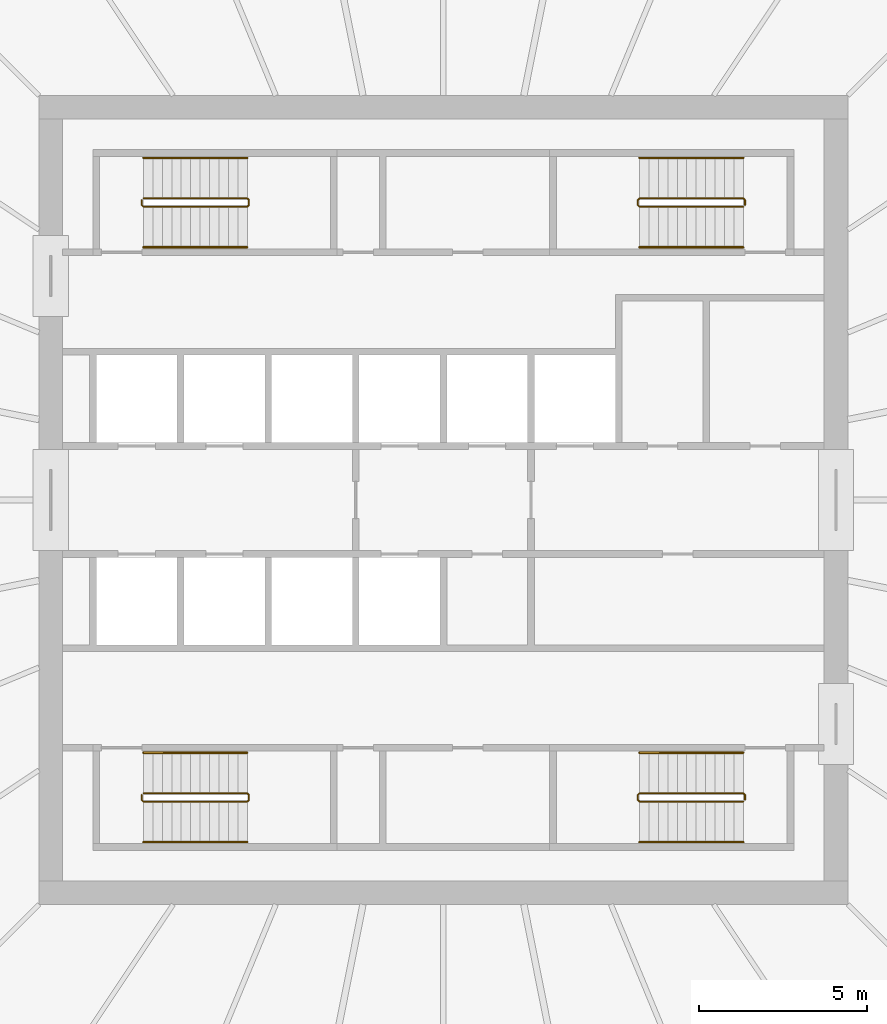
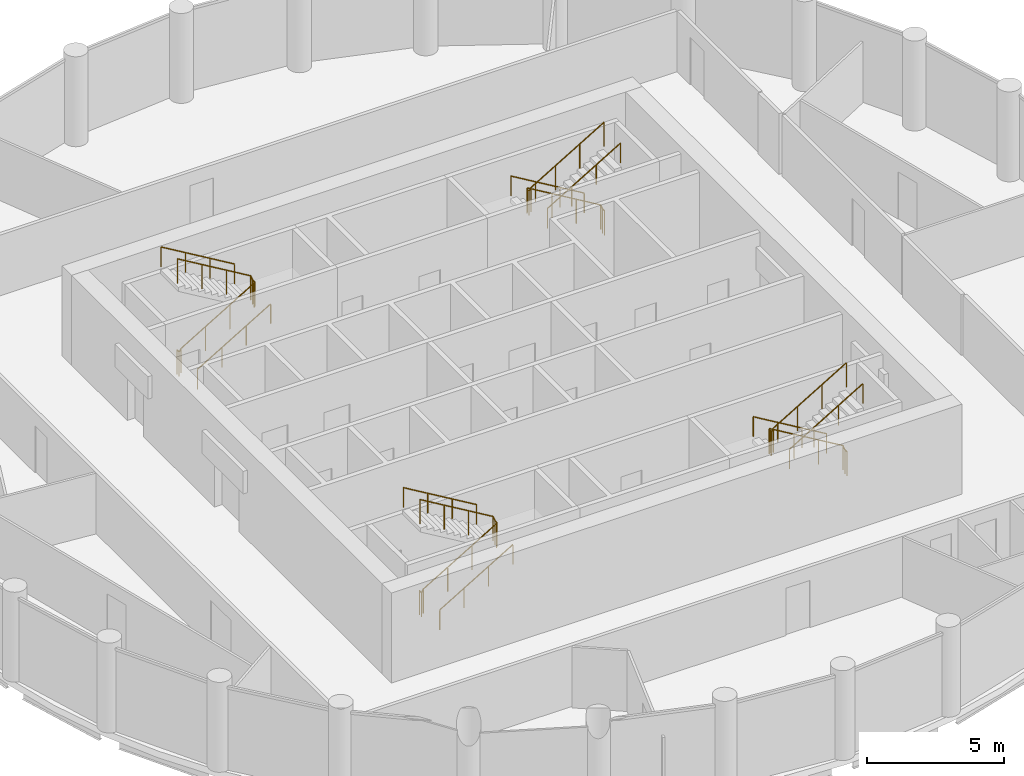
# One storey, part 7 of 7: 12 railings.
"""IFC4 building model written with IfcOpenShell, lengths in metres."""

from ifc_helpers import new_model, si_unit, direction, frame, origin, origin_2d, place, context, subcontext, project, spatial, circle, extrude, material, type_object, element, save


model = new_model("IFC4")

# Units and contexts
model_context = context("Model", 3, precision=1e-05, world=origin(), true_north=direction((0.0, 1.0)))
body_context = subcontext(model_context, "Body", "Model", "MODEL_VIEW")
ifc_project = project(units=[si_unit("LENGTHUNIT", "METRE"), si_unit("AREAUNIT", "SQUARE_METRE"), si_unit("VOLUMEUNIT", "CUBIC_METRE"), si_unit("PLANEANGLEUNIT", "RADIAN"), si_unit("MASSUNIT", "GRAM", prefix="KILO")], contexts=[model_context])

# Site, building, storey
site_placement = place(None, origin())
site = spatial("IfcSite", under=ifc_project, at=site_placement, CompositionType="ELEMENT")
building_placement = place(site_placement, origin())
building = spatial("IfcBuilding", under=site, at=building_placement, Name="Corvane Civic Tower", CompositionType="ELEMENT")
storey_placement = place(building_placement, frame((0.0, 0.0, 271.0)))
storey = spatial("IfcBuildingStorey", under=building, at=storey_placement, Name="L64", CompositionType="ELEMENT", Elevation=271.0)

# Railings
ifc_material_1 = material(Name="Steel ASTM A572 Gr 50", Category="steel")
railing_type_1 = type_object("IfcRailingType", Name="ST-GUARD-1100", PredefinedType="GUARDRAIL", material=ifc_material_1)
railing_1_placement = place(storey_placement, frame((8.949951171875, 8.75, 0.0)))
element("IfcRailing", 1, at=railing_1_placement, inside=storey, type_object=railing_type_1, Name="L64 ST1 stair guard 1", PredefinedType="GUARDRAIL", context=body_context, shape_type="SweptSolid", body=[
    extrude(circle(Radius=0.02392578125, at=origin_2d()), frame((0.0, 0.0, 1.076171875), z_axis=(0.0, 1.0, 0.0), x_axis=(-1.0, 0.0, 0.0)), (0.0, 0.0, 1.0), 0.14990234375),
    extrude(circle(Radius=0.02392578125, at=origin_2d()), frame((0.0, 0.14990234375, 1.076171875), z_axis=(-0.27628659633, 0.27628659633, 0.920506074601), x_axis=(-0.707106781187, -0.707106781187, 0.0)), (0.0, 0.0, 1.0), 0.18115234375),
    extrude(circle(Radius=0.02392578125, at=origin_2d()), frame((-0.050048828125, 0.199951171875, 1.24267578125), z_axis=(-0.859290745958, 0.0, 0.51148745235), x_axis=(0.0, -1.0, 0.0)), (0.0, 0.0, 1.0), 3.584228515625),
    extrude(circle(Radius=0.02392578125, at=origin_2d()), frame((-3.1298828125, 0.199951171875, 3.076171875), z_axis=(-0.707106781187, -0.707106781187, 0.0), x_axis=(0.707106781187, -0.707106781187, 0.0)), (0.0, 0.0, 1.0), 0.07080078125),
    extrude(circle(Radius=0.02392578125, at=origin_2d()), frame((-3.179931640625, 0.14990234375, 3.076171875), z_axis=(0.0, -1.0, 0.0), x_axis=(1.0, 0.0, 0.0)), (0.0, 0.0, 1.0), 0.14990234375),
    extrude(circle(Radius=0.02392578125, at=origin_2d()), frame((-3.179931640625, 0.0, 3.076171875), z_axis=(0.27628659633, -0.27628659633, 0.920506074601), x_axis=(0.707106781187, 0.707106781187, 0.0)), (0.0, 0.0, 1.0), 0.18115234375),
    extrude(circle(Radius=0.02392578125, at=origin_2d()), frame((-3.1298828125, -0.050048828125, 3.24267578125), z_axis=(0.859290745958, 0.0, 0.51148745235), x_axis=(0.0, 1.0, 0.0)), (0.0, 0.0, 1.0), 3.584228515625),
    extrude(circle(Radius=0.02099609375, at=origin_2d()), origin(), (0.0, 0.0, 1.0), 1.052001953125),
    extrude(circle(Radius=0.02099609375, at=origin_2d()), frame((0.0, 0.14990234375, 0.0)), (0.0, 0.0, 1.0), 1.052001953125),
    extrude(circle(Radius=0.02099609375, at=origin_2d()), frame((-0.050048828125, 0.199951171875, 0.166748046875)), (0.0, 0.0, 1.0), 1.052001953125),
    extrude(circle(Radius=0.02099609375, at=origin_2d()), frame((-1.07666015625, 0.199951171875, 0.77783203125)), (0.0, 0.0, 1.0), 1.052001953125),
    extrude(circle(Radius=0.02099609375, at=origin_2d()), frame((-2.103271484375, 0.199951171875, 1.388916015625)), (0.0, 0.0, 1.0), 1.052001953125),
    extrude(circle(Radius=0.02099609375, at=origin_2d()), frame((-3.1298828125, 0.199951171875, 2.0)), (0.0, 0.0, 1.0), 1.052001953125),
    extrude(circle(Radius=0.02099609375, at=origin_2d()), frame((-3.179931640625, 0.14990234375, 2.0)), (0.0, 0.0, 1.0), 1.052001953125),
    extrude(circle(Radius=0.02099609375, at=origin_2d()), frame((-3.179931640625, 0.0, 2.0)), (0.0, 0.0, 1.0), 1.052001953125),
    extrude(circle(Radius=0.02099609375, at=origin_2d()), frame((-3.1298828125, -0.050048828125, 2.166748046875)), (0.0, 0.0, 1.0), 1.052001953125),
    extrude(circle(Radius=0.02099609375, at=origin_2d()), frame((-2.103271484375, -0.050048828125, 2.77783203125)), (0.0, 0.0, 1.0), 1.052001953125),
    extrude(circle(Radius=0.02099609375, at=origin_2d()), frame((-1.07666015625, -0.050048828125, 3.388916015625)), (0.0, 0.0, 1.0), 1.052001953125),
    extrude(circle(Radius=0.02099609375, at=origin_2d()), frame((-0.050048828125, -0.050048828125, 4.0)), (0.0, 0.0, 1.0), 1.052001953125),
])
railing_2_placement = place(storey_placement, frame((8.949951171875, -8.89990234375, 0.0)))
element("IfcRailing", 2, at=railing_2_placement, inside=storey, type_object=railing_type_1, Name="L64 ST2 stair guard 1", PredefinedType="GUARDRAIL", context=body_context, shape_type="SweptSolid", body=[
    extrude(circle(Radius=0.02392578125, at=origin_2d()), frame((0.0, 0.0, 1.076171875), z_axis=(0.0, 1.0, 0.0), x_axis=(-1.0, 0.0, 0.0)), (0.0, 0.0, 1.0), 0.14990234375),
    extrude(circle(Radius=0.02392578125, at=origin_2d()), frame((0.0, 0.14990234375, 1.076171875), z_axis=(-0.27628659633, 0.27628659633, 0.920506074601), x_axis=(-0.707106781187, -0.707106781187, 0.0)), (0.0, 0.0, 1.0), 0.18115234375),
    extrude(circle(Radius=0.02392578125, at=origin_2d()), frame((-0.050048828125, 0.199951171875, 1.24267578125), z_axis=(-0.859290745958, 0.0, 0.51148745235), x_axis=(0.0, -1.0, 0.0)), (0.0, 0.0, 1.0), 3.584228515625),
    extrude(circle(Radius=0.02392578125, at=origin_2d()), frame((-3.1298828125, 0.199951171875, 3.076171875), z_axis=(-0.707106781187, -0.707106781187, 0.0), x_axis=(0.707106781187, -0.707106781187, 0.0)), (0.0, 0.0, 1.0), 0.07080078125),
    extrude(circle(Radius=0.02392578125, at=origin_2d()), frame((-3.179931640625, 0.14990234375, 3.076171875), z_axis=(0.0, -1.0, 0.0), x_axis=(1.0, 0.0, 0.0)), (0.0, 0.0, 1.0), 0.14990234375),
    extrude(circle(Radius=0.02392578125, at=origin_2d()), frame((-3.179931640625, 0.0, 3.076171875), z_axis=(0.27628659633, -0.27628659633, 0.920506074601), x_axis=(0.707106781187, 0.707106781187, 0.0)), (0.0, 0.0, 1.0), 0.18115234375),
    extrude(circle(Radius=0.02392578125, at=origin_2d()), frame((-3.1298828125, -0.050048828125, 3.24267578125), z_axis=(0.859290745958, 0.0, 0.51148745235), x_axis=(0.0, 1.0, 0.0)), (0.0, 0.0, 1.0), 3.584228515625),
    extrude(circle(Radius=0.02099609375, at=origin_2d()), origin(), (0.0, 0.0, 1.0), 1.052001953125),
    extrude(circle(Radius=0.02099609375, at=origin_2d()), frame((0.0, 0.14990234375, 0.0)), (0.0, 0.0, 1.0), 1.052001953125),
    extrude(circle(Radius=0.02099609375, at=origin_2d()), frame((-0.050048828125, 0.199951171875, 0.166748046875)), (0.0, 0.0, 1.0), 1.052001953125),
    extrude(circle(Radius=0.02099609375, at=origin_2d()), frame((-1.07666015625, 0.199951171875, 0.77783203125)), (0.0, 0.0, 1.0), 1.052001953125),
    extrude(circle(Radius=0.02099609375, at=origin_2d()), frame((-2.103271484375, 0.199951171875, 1.388916015625)), (0.0, 0.0, 1.0), 1.052001953125),
    extrude(circle(Radius=0.02099609375, at=origin_2d()), frame((-3.1298828125, 0.199951171875, 2.0)), (0.0, 0.0, 1.0), 1.052001953125),
    extrude(circle(Radius=0.02099609375, at=origin_2d()), frame((-3.179931640625, 0.14990234375, 2.0)), (0.0, 0.0, 1.0), 1.052001953125),
    extrude(circle(Radius=0.02099609375, at=origin_2d()), frame((-3.179931640625, 0.0, 2.0)), (0.0, 0.0, 1.0), 1.052001953125),
    extrude(circle(Radius=0.02099609375, at=origin_2d()), frame((-3.1298828125, -0.050048828125, 2.166748046875)), (0.0, 0.0, 1.0), 1.052001953125),
    extrude(circle(Radius=0.02099609375, at=origin_2d()), frame((-2.103271484375, -0.050048828125, 2.77783203125)), (0.0, 0.0, 1.0), 1.052001953125),
    extrude(circle(Radius=0.02099609375, at=origin_2d()), frame((-1.07666015625, -0.050048828125, 3.388916015625)), (0.0, 0.0, 1.0), 1.052001953125),
    extrude(circle(Radius=0.02099609375, at=origin_2d()), frame((-0.050048828125, -0.050048828125, 4.0)), (0.0, 0.0, 1.0), 1.052001953125),
])
railing_3_placement = place(storey_placement, frame((-8.949951171875, -8.75, 0.0)))
element("IfcRailing", 3, at=railing_3_placement, inside=storey, type_object=railing_type_1, Name="L64 ST3 stair guard 1", PredefinedType="GUARDRAIL", context=body_context, shape_type="SweptSolid", body=[
    extrude(circle(Radius=0.02392578125, at=origin_2d()), frame((0.0, 0.0, 1.076171875), z_axis=(0.0, -1.0, 0.0), x_axis=(1.0, 0.0, 0.0)), (0.0, 0.0, 1.0), 0.14990234375),
    extrude(circle(Radius=0.02392578125, at=origin_2d()), frame((0.0, -0.14990234375, 1.076171875), z_axis=(0.27628659633, -0.27628659633, 0.920506074601), x_axis=(0.707106781187, 0.707106781187, 0.0)), (0.0, 0.0, 1.0), 0.18115234375),
    extrude(circle(Radius=0.02392578125, at=origin_2d()), frame((0.050048828125, -0.199951171875, 1.24267578125), z_axis=(0.859290745958, 0.0, 0.51148745235), x_axis=(0.0, 1.0, 0.0)), (0.0, 0.0, 1.0), 3.584228515625),
    extrude(circle(Radius=0.02392578125, at=origin_2d()), frame((3.1298828125, -0.199951171875, 3.076171875), z_axis=(0.707106781187, 0.707106781187, 0.0), x_axis=(-0.707106781187, 0.707106781187, 0.0)), (0.0, 0.0, 1.0), 0.07080078125),
    extrude(circle(Radius=0.02392578125, at=origin_2d()), frame((3.179931640625, -0.14990234375, 3.076171875), z_axis=(0.0, 1.0, 0.0), x_axis=(-1.0, 0.0, 0.0)), (0.0, 0.0, 1.0), 0.14990234375),
    extrude(circle(Radius=0.02392578125, at=origin_2d()), frame((3.179931640625, 0.0, 3.076171875), z_axis=(-0.27628659633, 0.27628659633, 0.920506074601), x_axis=(-0.707106781187, -0.707106781187, 0.0)), (0.0, 0.0, 1.0), 0.18115234375),
    extrude(circle(Radius=0.02392578125, at=origin_2d()), frame((3.1298828125, 0.050048828125, 3.24267578125), z_axis=(-0.859290745958, 0.0, 0.51148745235), x_axis=(0.0, -1.0, 0.0)), (0.0, 0.0, 1.0), 3.584228515625),
    extrude(circle(Radius=0.02099609375, at=origin_2d()), origin(), (0.0, 0.0, 1.0), 1.052001953125),
    extrude(circle(Radius=0.02099609375, at=origin_2d()), frame((0.0, -0.14990234375, 0.0)), (0.0, 0.0, 1.0), 1.052001953125),
    extrude(circle(Radius=0.02099609375, at=origin_2d()), frame((0.050048828125, -0.199951171875, 0.166748046875)), (0.0, 0.0, 1.0), 1.052001953125),
    extrude(circle(Radius=0.02099609375, at=origin_2d()), frame((1.07666015625, -0.199951171875, 0.77783203125)), (0.0, 0.0, 1.0), 1.052001953125),
    extrude(circle(Radius=0.02099609375, at=origin_2d()), frame((2.103271484375, -0.199951171875, 1.388916015625)), (0.0, 0.0, 1.0), 1.052001953125),
    extrude(circle(Radius=0.02099609375, at=origin_2d()), frame((3.1298828125, -0.199951171875, 2.0)), (0.0, 0.0, 1.0), 1.052001953125),
    extrude(circle(Radius=0.02099609375, at=origin_2d()), frame((3.179931640625, -0.14990234375, 2.0)), (0.0, 0.0, 1.0), 1.052001953125),
    extrude(circle(Radius=0.02099609375, at=origin_2d()), frame((3.179931640625, 0.0, 2.0)), (0.0, 0.0, 1.0), 1.052001953125),
    extrude(circle(Radius=0.02099609375, at=origin_2d()), frame((3.1298828125, 0.050048828125, 2.166748046875)), (0.0, 0.0, 1.0), 1.052001953125),
    extrude(circle(Radius=0.02099609375, at=origin_2d()), frame((2.103271484375, 0.050048828125, 2.77783203125)), (0.0, 0.0, 1.0), 1.052001953125),
    extrude(circle(Radius=0.02099609375, at=origin_2d()), frame((1.07666015625, 0.050048828125, 3.388916015625)), (0.0, 0.0, 1.0), 1.052001953125),
    extrude(circle(Radius=0.02099609375, at=origin_2d()), frame((0.050048828125, 0.050048828125, 4.0)), (0.0, 0.0, 1.0), 1.052001953125),
])
railing_4_placement = place(storey_placement, frame((-8.949951171875, 8.89990234375, 0.0)))
element("IfcRailing", 4, at=railing_4_placement, inside=storey, type_object=railing_type_1, Name="L64 ST4 stair guard 1", PredefinedType="GUARDRAIL", context=body_context, shape_type="SweptSolid", body=[
    extrude(circle(Radius=0.02392578125, at=origin_2d()), frame((0.0, 0.0, 1.076171875), z_axis=(0.0, -1.0, 0.0), x_axis=(1.0, 0.0, 0.0)), (0.0, 0.0, 1.0), 0.14990234375),
    extrude(circle(Radius=0.02392578125, at=origin_2d()), frame((0.0, -0.14990234375, 1.076171875), z_axis=(0.27628659633, -0.27628659633, 0.920506074601), x_axis=(0.707106781187, 0.707106781187, 0.0)), (0.0, 0.0, 1.0), 0.18115234375),
    extrude(circle(Radius=0.02392578125, at=origin_2d()), frame((0.050048828125, -0.199951171875, 1.24267578125), z_axis=(0.859290745958, 0.0, 0.51148745235), x_axis=(0.0, 1.0, 0.0)), (0.0, 0.0, 1.0), 3.584228515625),
    extrude(circle(Radius=0.02392578125, at=origin_2d()), frame((3.1298828125, -0.199951171875, 3.076171875), z_axis=(0.707106781187, 0.707106781187, 0.0), x_axis=(-0.707106781187, 0.707106781187, 0.0)), (0.0, 0.0, 1.0), 0.07080078125),
    extrude(circle(Radius=0.02392578125, at=origin_2d()), frame((3.179931640625, -0.14990234375, 3.076171875), z_axis=(0.0, 1.0, 0.0), x_axis=(-1.0, 0.0, 0.0)), (0.0, 0.0, 1.0), 0.14990234375),
    extrude(circle(Radius=0.02392578125, at=origin_2d()), frame((3.179931640625, 0.0, 3.076171875), z_axis=(-0.27628659633, 0.27628659633, 0.920506074601), x_axis=(-0.707106781187, -0.707106781187, 0.0)), (0.0, 0.0, 1.0), 0.18115234375),
    extrude(circle(Radius=0.02392578125, at=origin_2d()), frame((3.1298828125, 0.050048828125, 3.24267578125), z_axis=(-0.859290745958, 0.0, 0.51148745235), x_axis=(0.0, -1.0, 0.0)), (0.0, 0.0, 1.0), 3.584228515625),
    extrude(circle(Radius=0.02099609375, at=origin_2d()), origin(), (0.0, 0.0, 1.0), 1.052001953125),
    extrude(circle(Radius=0.02099609375, at=origin_2d()), frame((0.0, -0.14990234375, 0.0)), (0.0, 0.0, 1.0), 1.052001953125),
    extrude(circle(Radius=0.02099609375, at=origin_2d()), frame((0.050048828125, -0.199951171875, 0.166748046875)), (0.0, 0.0, 1.0), 1.052001953125),
    extrude(circle(Radius=0.02099609375, at=origin_2d()), frame((1.07666015625, -0.199951171875, 0.77783203125)), (0.0, 0.0, 1.0), 1.052001953125),
    extrude(circle(Radius=0.02099609375, at=origin_2d()), frame((2.103271484375, -0.199951171875, 1.388916015625)), (0.0, 0.0, 1.0), 1.052001953125),
    extrude(circle(Radius=0.02099609375, at=origin_2d()), frame((3.1298828125, -0.199951171875, 2.0)), (0.0, 0.0, 1.0), 1.052001953125),
    extrude(circle(Radius=0.02099609375, at=origin_2d()), frame((3.179931640625, -0.14990234375, 2.0)), (0.0, 0.0, 1.0), 1.052001953125),
    extrude(circle(Radius=0.02099609375, at=origin_2d()), frame((3.179931640625, 0.0, 2.0)), (0.0, 0.0, 1.0), 1.052001953125),
    extrude(circle(Radius=0.02099609375, at=origin_2d()), frame((3.1298828125, 0.050048828125, 2.166748046875)), (0.0, 0.0, 1.0), 1.052001953125),
    extrude(circle(Radius=0.02099609375, at=origin_2d()), frame((2.103271484375, 0.050048828125, 2.77783203125)), (0.0, 0.0, 1.0), 1.052001953125),
    extrude(circle(Radius=0.02099609375, at=origin_2d()), frame((1.07666015625, 0.050048828125, 3.388916015625)), (0.0, 0.0, 1.0), 1.052001953125),
    extrude(circle(Radius=0.02099609375, at=origin_2d()), frame((0.050048828125, 0.050048828125, 4.0)), (0.0, 0.0, 1.0), 1.052001953125),
])
ifc_material_2 = material(Name="Steel ASTM A572 Gr 50", Category="steel")
railing_type_2 = type_object("IfcRailingType", Name="ST-HANDRAIL-900", PredefinedType="HANDRAIL", material=ifc_material_2)
railing_5_placement = place(storey_placement, frame((8.89990234375, 10.14990234375, 0.166748046875)))
element("IfcRailing", 5, at=railing_5_placement, inside=storey, type_object=railing_type_2, Name="L64 ST1 stair handrail 1", PredefinedType="HANDRAIL", context=body_context, shape_type="SweptSolid", body=[
    extrude(circle(Radius=0.02392578125, at=origin_2d()), frame((0.0, 0.0, 0.8759765625), z_axis=(-0.859290745958, 0.0, 0.51148745235), x_axis=(0.0, -1.0, 0.0)), (0.0, 0.0, 1.0), 3.584228515625),
    extrude(circle(Radius=0.02099609375, at=origin_2d()), origin(), (0.0, 0.0, 1.0), 0.851806640625),
    extrude(circle(Radius=0.02099609375, at=origin_2d()), frame((-1.026611328125, 0.0, 0.611083984375)), (0.0, 0.0, 1.0), 0.851806640625),
    extrude(circle(Radius=0.02099609375, at=origin_2d()), frame((-2.05322265625, 0.0, 1.22216796875)), (0.0, 0.0, 1.0), 0.851806640625),
    extrude(circle(Radius=0.02099609375, at=origin_2d()), frame((-3.079833984375, 0.0, 1.833251953125)), (0.0, 0.0, 1.0), 0.851806640625),
])
railing_6_placement = place(storey_placement, frame((5.820068359375, 7.5, 2.166748046875)))
element("IfcRailing", 6, at=railing_6_placement, inside=storey, type_object=railing_type_2, Name="L64 ST1 stair handrail 2", PredefinedType="HANDRAIL", context=body_context, shape_type="SweptSolid", body=[
    extrude(circle(Radius=0.02392578125, at=origin_2d()), frame((0.0, 0.0, 0.8759765625), z_axis=(0.859290745958, 0.0, 0.51148745235), x_axis=(0.0, 1.0, 0.0)), (0.0, 0.0, 1.0), 3.584228515625),
    extrude(circle(Radius=0.02099609375, at=origin_2d()), origin(), (0.0, 0.0, 1.0), 0.851806640625),
    extrude(circle(Radius=0.02099609375, at=origin_2d()), frame((1.026611328125, 0.0, 0.611083984375)), (0.0, 0.0, 1.0), 0.851806640625),
    extrude(circle(Radius=0.02099609375, at=origin_2d()), frame((2.05322265625, 0.0, 1.22216796875)), (0.0, 0.0, 1.0), 0.851806640625),
    extrude(circle(Radius=0.02099609375, at=origin_2d()), frame((3.079833984375, 0.0, 1.833251953125)), (0.0, 0.0, 1.0), 0.851806640625),
])
railing_7_placement = place(storey_placement, frame((8.89990234375, -7.5, 0.166748046875)))
element("IfcRailing", 7, at=railing_7_placement, inside=storey, type_object=railing_type_2, Name="L64 ST2 stair handrail 1", PredefinedType="HANDRAIL", context=body_context, shape_type="SweptSolid", body=[
    extrude(circle(Radius=0.02392578125, at=origin_2d()), frame((0.0, 0.0, 0.8759765625), z_axis=(-0.859290745958, 0.0, 0.51148745235), x_axis=(0.0, -1.0, 0.0)), (0.0, 0.0, 1.0), 3.584228515625),
    extrude(circle(Radius=0.02099609375, at=origin_2d()), origin(), (0.0, 0.0, 1.0), 0.851806640625),
    extrude(circle(Radius=0.02099609375, at=origin_2d()), frame((-1.026611328125, 0.0, 0.611083984375)), (0.0, 0.0, 1.0), 0.851806640625),
    extrude(circle(Radius=0.02099609375, at=origin_2d()), frame((-2.05322265625, 0.0, 1.22216796875)), (0.0, 0.0, 1.0), 0.851806640625),
    extrude(circle(Radius=0.02099609375, at=origin_2d()), frame((-3.079833984375, 0.0, 1.833251953125)), (0.0, 0.0, 1.0), 0.851806640625),
])
for number, where, name in (
    (8, (5.820068359375, -10.14990234375, 2.166748046875), "L64 ST2 stair handrail 2"),
    (9, (-8.89990234375, -10.14990234375, 0.166748046875), "L64 ST3 stair handrail 1"),
):
    element("IfcRailing", number, at=place(storey_placement, frame(where)), inside=storey, type_object=railing_type_2, Name=name, PredefinedType="HANDRAIL", context=body_context, shape_type="SweptSolid", body=[
        extrude(circle(Radius=0.02392578125, at=origin_2d()), frame((0.0, 0.0, 0.8759765625), z_axis=(0.859290745958, 0.0, 0.51148745235), x_axis=(0.0, 1.0, 0.0)), (0.0, 0.0, 1.0), 3.584228515625),
        extrude(circle(Radius=0.02099609375, at=origin_2d()), origin(), (0.0, 0.0, 1.0), 0.851806640625),
        extrude(circle(Radius=0.02099609375, at=origin_2d()), frame((1.026611328125, 0.0, 0.611083984375)), (0.0, 0.0, 1.0), 0.851806640625),
        extrude(circle(Radius=0.02099609375, at=origin_2d()), frame((2.05322265625, 0.0, 1.22216796875)), (0.0, 0.0, 1.0), 0.851806640625),
        extrude(circle(Radius=0.02099609375, at=origin_2d()), frame((3.079833984375, 0.0, 1.833251953125)), (0.0, 0.0, 1.0), 0.851806640625),
    ])
railing_8_placement = place(storey_placement, frame((-5.820068359375, -7.5, 2.166748046875)))
element("IfcRailing", 10, at=railing_8_placement, inside=storey, type_object=railing_type_2, Name="L64 ST3 stair handrail 2", PredefinedType="HANDRAIL", context=body_context, shape_type="SweptSolid", body=[
    extrude(circle(Radius=0.02392578125, at=origin_2d()), frame((0.0, 0.0, 0.8759765625), z_axis=(-0.859290745958, 0.0, 0.51148745235), x_axis=(0.0, -1.0, 0.0)), (0.0, 0.0, 1.0), 3.584228515625),
    extrude(circle(Radius=0.02099609375, at=origin_2d()), origin(), (0.0, 0.0, 1.0), 0.851806640625),
    extrude(circle(Radius=0.02099609375, at=origin_2d()), frame((-1.026611328125, 0.0, 0.611083984375)), (0.0, 0.0, 1.0), 0.851806640625),
    extrude(circle(Radius=0.02099609375, at=origin_2d()), frame((-2.05322265625, 0.0, 1.22216796875)), (0.0, 0.0, 1.0), 0.851806640625),
    extrude(circle(Radius=0.02099609375, at=origin_2d()), frame((-3.079833984375, 0.0, 1.833251953125)), (0.0, 0.0, 1.0), 0.851806640625),
])
railing_9_placement = place(storey_placement, frame((-8.89990234375, 7.5, 0.166748046875)))
element("IfcRailing", 11, at=railing_9_placement, inside=storey, type_object=railing_type_2, Name="L64 ST4 stair handrail 1", PredefinedType="HANDRAIL", context=body_context, shape_type="SweptSolid", body=[
    extrude(circle(Radius=0.02392578125, at=origin_2d()), frame((0.0, 0.0, 0.8759765625), z_axis=(0.859290745958, 0.0, 0.51148745235), x_axis=(0.0, 1.0, 0.0)), (0.0, 0.0, 1.0), 3.584228515625),
    extrude(circle(Radius=0.02099609375, at=origin_2d()), origin(), (0.0, 0.0, 1.0), 0.851806640625),
    extrude(circle(Radius=0.02099609375, at=origin_2d()), frame((1.026611328125, 0.0, 0.611083984375)), (0.0, 0.0, 1.0), 0.851806640625),
    extrude(circle(Radius=0.02099609375, at=origin_2d()), frame((2.05322265625, 0.0, 1.22216796875)), (0.0, 0.0, 1.0), 0.851806640625),
    extrude(circle(Radius=0.02099609375, at=origin_2d()), frame((3.079833984375, 0.0, 1.833251953125)), (0.0, 0.0, 1.0), 0.851806640625),
])
railing_10_placement = place(storey_placement, frame((-5.820068359375, 10.14990234375, 2.166748046875)))
element("IfcRailing", 12, at=railing_10_placement, inside=storey, type_object=railing_type_2, Name="L64 ST4 stair handrail 2", PredefinedType="HANDRAIL", context=body_context, shape_type="SweptSolid", body=[
    extrude(circle(Radius=0.02392578125, at=origin_2d()), frame((0.0, 0.0, 0.8759765625), z_axis=(-0.859290745958, 0.0, 0.51148745235), x_axis=(0.0, -1.0, 0.0)), (0.0, 0.0, 1.0), 3.584228515625),
    extrude(circle(Radius=0.02099609375, at=origin_2d()), origin(), (0.0, 0.0, 1.0), 0.851806640625),
    extrude(circle(Radius=0.02099609375, at=origin_2d()), frame((-1.026611328125, 0.0, 0.611083984375)), (0.0, 0.0, 1.0), 0.851806640625),
    extrude(circle(Radius=0.02099609375, at=origin_2d()), frame((-2.05322265625, 0.0, 1.22216796875)), (0.0, 0.0, 1.0), 0.851806640625),
    extrude(circle(Radius=0.02099609375, at=origin_2d()), frame((-3.079833984375, 0.0, 1.833251953125)), (0.0, 0.0, 1.0), 0.851806640625),
])

save(model, "model.ifc")
